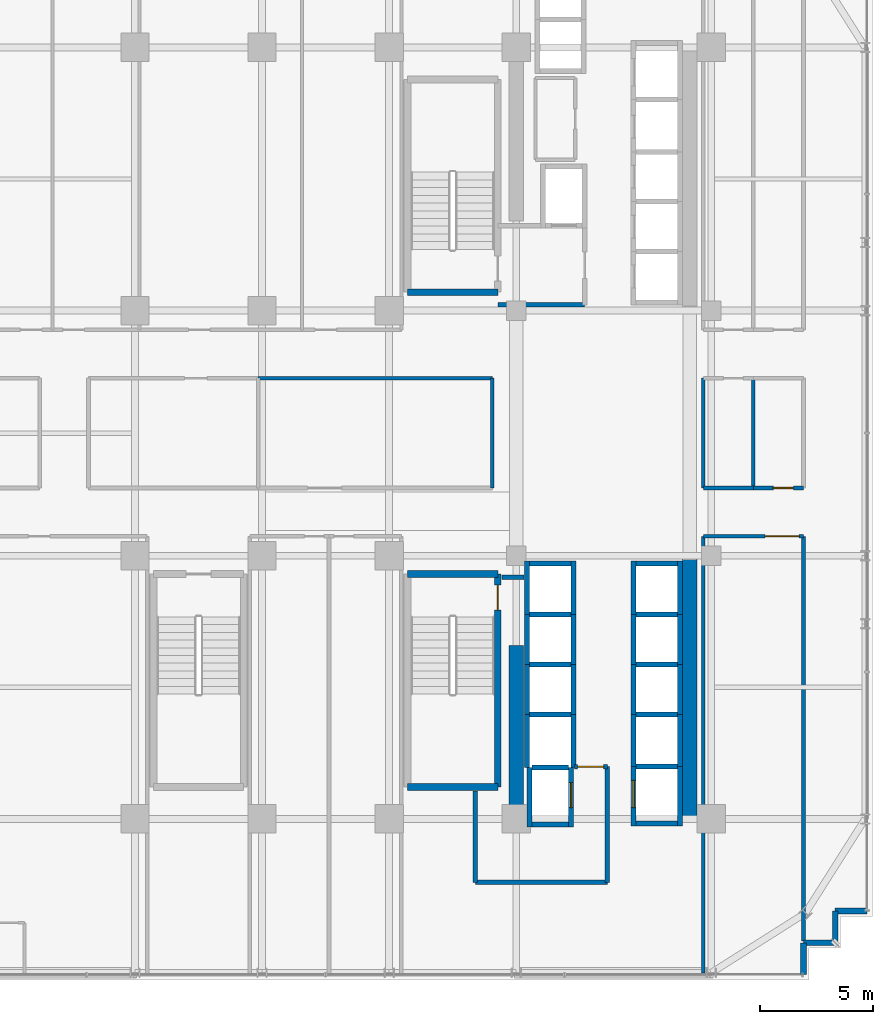
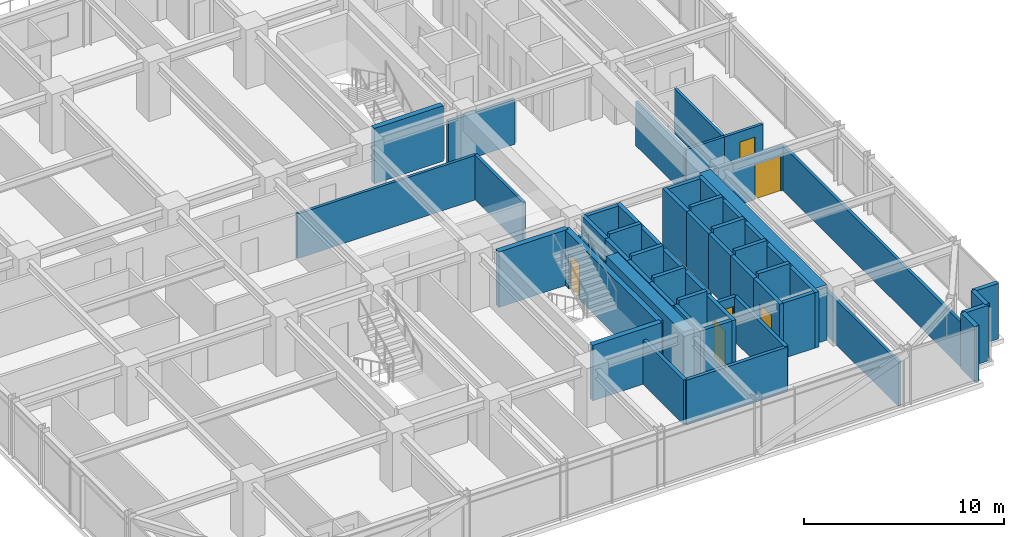
# One storey, part 33 of 40: 57 walls, 6 doors, 6 openings.
"""IFC4 building model written with IfcOpenShell, lengths in metres."""

from ifc_helpers import new_model, si_unit, direction, frame, frame_2d, origin, place, context, subcontext, project, spatial, rectangle, extrude, source, transform, mapped, material, layer, layer_set, type_object, element, fill, save


model = new_model("IFC4")

# Units and contexts
model_context = context("Model", 3, precision=1e-05, world=origin(), true_north=direction((0.0, 1.0)))
body_context = subcontext(model_context, "Body", "Model", "MODEL_VIEW")
ifc_project = project(units=[si_unit("LENGTHUNIT", "METRE"), si_unit("AREAUNIT", "SQUARE_METRE"), si_unit("VOLUMEUNIT", "CUBIC_METRE"), si_unit("PLANEANGLEUNIT", "RADIAN"), si_unit("MASSUNIT", "GRAM", prefix="KILO")], contexts=[model_context])

# Site, building, storey
site_placement = place(None, origin())
site = spatial("IfcSite", under=ifc_project, at=site_placement, CompositionType="ELEMENT")
building_placement = place(site_placement, origin())
building = spatial("IfcBuilding", under=site, at=building_placement, Name="Nahalor Promenade Grand Hotel", CompositionType="ELEMENT")
storey_placement = place(building_placement, frame((0.0, 0.0, 91.949951171875)))
storey = spatial("IfcBuildingStorey", under=building, at=storey_placement, Name="L22", CompositionType="ELEMENT", Elevation=91.949951171875)

# Walls
ifc_material_1 = material(Name="Concrete B-60 (C50/60)", Category="concrete")
ifc_layer_1 = layer(ifc_material_1, 0.64990234375)
ifc_layer_set_1 = layer_set([ifc_layer_1], Name="Concrete B-60 (C50/60)")
wall_type_1 = type_object("IfcWallType", Name="Wall-CoreShear-650", PredefinedType="SHEAR", material=ifc_layer_set_1)
shared_shape_1 = source(origin(), body_context, "Body", "SweptSolid", [
    extrude(rectangle(XDim=7.64990234375, YDim=0.64990234375, at=frame_2d((3.824951171875, 0.0))), origin(), (0.0, 0.0, 1.0), 3.380126953125),
])
wall_1_placement = place(storey_placement, frame((8.39990234375, -17.0, 0.0), z_axis=(0.0, 0.0, 1.0), x_axis=(0.0, 1.0, 0.0)))
element("IfcWall", 1, at=wall_1_placement, inside=storey, type_object=wall_type_1, Name="CWALL-L22-SW", PredefinedType="SHEAR", context=body_context, shape_type="MappedRepresentation", body=[
    mapped(shared_shape_1, transform((0.0, 0.0, 0.0), scale=1.0)),
])
shared_shape_2 = source(origin(), body_context, "Body", "SweptSolid", [
    extrude(rectangle(XDim=11.60009765625, YDim=0.64990234375, at=frame_2d((5.800048828125, 0.0))), origin(), (0.0, 0.0, 1.0), 3.380126953125),
])
wall_2_placement = place(storey_placement, frame((16.050048828125, -17.0, 0.0), z_axis=(0.0, 0.0, 1.0), x_axis=(0.0, 1.0, 0.0)))
element("IfcWall", 2, at=wall_2_placement, inside=storey, type_object=wall_type_1, Name="CWALL-L22-SE", PredefinedType="SHEAR", context=body_context, shape_type="MappedRepresentation", body=[
    mapped(shared_shape_2, transform((0.0, 0.0, 0.0), scale=1.0)),
])
ifc_material_2 = material(Name="Concrete B-50 (C40/50)", Category="concrete")
ifc_layer_2 = layer(ifc_material_2, 0.300048828125)
ifc_layer_set_2 = layer_set([ifc_layer_2], Name="Concrete B-50 (C40/50)")
wall_type_2 = type_object("IfcWallType", Name="Wall-ShaftShear-300", PredefinedType="SHEAR", material=ifc_layer_set_2)
shared_shape_3 = source(origin(), body_context, "Body", "SweptSolid", [
    extrude(rectangle(XDim=3.97998046875, YDim=0.300048828125, at=frame_2d((1.989990234375, 0.0))), origin(), (0.0, 0.0, 1.0), 3.380126953125),
])
for number, where, z_axis, x_axis, name in (
    (3, (3.610107421875, 6.2099609375, 0.0), (0.0, 0.0, 1.0), (1.0, 0.0, 0.0), "L22 Exit Stair ST1 Shaft Wall S"),
    (4, (3.610107421875, -15.590087890625, 0.0), (0.0, 0.0, 1.0), (1.0, 0.0, 0.0), "L22 Exit Stair ST2 Shaft Wall S"),
    (5, (3.610107421875, -6.2099609375, 0.0), (0.0, 0.0, 1.0), (1.0, 0.0, 0.0), "L22 Exit Stair ST2 Shaft Wall N"),
):
    element("IfcWall", number, at=place(storey_placement, frame(where, z_axis=z_axis, x_axis=x_axis)), inside=storey, type_object=wall_type_2, Name=name, PredefinedType="SHEAR", context=body_context, shape_type="MappedRepresentation", body=[
        mapped(shared_shape_3, transform((0.0, 0.0, 0.0), scale=1.0)),
    ])

# Wall, opening, door
shared_shape_4 = source(origin(), body_context, "Body", "SweptSolid", [
    extrude(rectangle(XDim=9.380126953125, YDim=0.300048828125, at=frame_2d((4.68994140625, 0.0))), origin(), (0.0, 0.0, 1.0), 3.380126953125),
])
wall_3_placement = place(storey_placement, frame((7.590087890625, -15.590087890625, 0.0), z_axis=(0.0, 0.0, 1.0), x_axis=(0.0, 1.0, 0.0)))
wall_3 = element("IfcWall", 6, at=wall_3_placement, inside=storey, type_object=wall_type_2, Name="L22 Exit Stair ST2 Shaft Wall E", PredefinedType="SHEAR", context=body_context, shape_type="MappedRepresentation", body=[
    mapped(shared_shape_4, transform((0.0, 0.0, 0.0), scale=1.0)),
])
opening_1_placement = place(wall_3_placement, frame((7.7900390625, 0.0, 0.0)))
opening_1 = element("IfcOpeningElement", 7, at=opening_1_placement, cuts=wall_3, Name="Opening D-ST1", PredefinedType="OPENING", context=body_context, shape_type="SweptSolid", body=[
    extrude(rectangle(XDim=1.10009765625, YDim=2.14990234375, at=frame_2d((0.550048828125, 1.074951171875))), frame((0.0, 0.159912109375, 0.0), z_axis=(0.0, -1.0, 0.0), x_axis=(1.0, 0.0, 0.0)), (0.0, 0.0, 1.0), 0.320068359375),
])
ifc_material_3 = material(Name="Steel S355JR", Category="steel")
door_type_1 = type_object("IfcDoorType", Name="Door-StairFire-1100", OperationType="NOTDEFINED", PredefinedType="DOOR", material=ifc_material_3)
shared_shape_5 = source(origin(), body_context, "Body", "SweptSolid", [
    extrude(rectangle(XDim=1.10009765625, YDim=2.14990234375, at=frame_2d((0.550048828125, 1.074951171875))), frame((0.0, 0.02490234375, 0.0), z_axis=(0.0, -1.0, 0.0), x_axis=(1.0, 0.0, 0.0)), (0.0, 0.0, 1.0), 0.050048828125),
])
door_1_placement = place(opening_1_placement, origin())
door_1 = element("IfcDoor", 8, at=door_1_placement, inside=storey, type_object=door_type_1, Name="DR-STAIR-ST2-L22", OperationType="SINGLE_SWING_LEFT", OverallHeight=2.14990234375, OverallWidth=1.10009765625, PredefinedType="DOOR", context=body_context, shape_type="MappedRepresentation", body=[
    mapped(shared_shape_5, transform((0.0, 0.0, 0.0), scale=1.0)),
])
fill(opening_1, door_1)

# Walls
ifc_layer_3 = layer(ifc_material_2, 0.219970703125)
ifc_layer_set_3 = layer_set([ifc_layer_3], Name="Concrete B-50 (C40/50)")
wall_type_3 = type_object("IfcWallType", Name="Wall-LiftShaft-220", PredefinedType="SHEAR", material=ifc_layer_set_3)
shared_shape_6 = source(origin(), body_context, "Body", "SweptSolid", [
    extrude(rectangle(XDim=1.820068359375, YDim=0.219970703125, at=frame_2d((0.91015625, 0.0))), origin(), (0.0, 0.0, 1.0), 3.650146484375),
])
for number, where, z_axis, x_axis, name in (
    (9, (13.68994140625, -8.0, 0.0), (0.0, 0.0, 1.0), (1.0, 0.0, 0.0), "L22 Lift PL6 Hoistway Wall N"),
    (10, (13.68994140625, -10.199951171875, 0.0), (0.0, 0.0, 1.0), (1.0, 0.0, 0.0), "L22 Lift PL7 Hoistway Wall N"),
    (11, (13.68994140625, -12.39990234375, 0.0), (0.0, 0.0, 1.0), (1.0, 0.0, 0.0), "L22 Lift PL8 Hoistway Wall N"),
    (12, (8.989990234375, -8.0, 0.0), (0.0, 0.0, 1.0), (1.0, 0.0, 0.0), "L22 Lift PL10 Hoistway Wall N"),
    (13, (8.989990234375, -10.199951171875, 0.0), (0.0, 0.0, 1.0), (1.0, 0.0, 0.0), "L22 Lift PL11 Hoistway Wall N"),
    (14, (8.989990234375, -12.39990234375, 0.0), (0.0, 0.0, 1.0), (1.0, 0.0, 0.0), "L22 Lift PL12 Hoistway Wall N"),
    (15, (13.68994140625, -14.699951171875, 0.0), (0.0, 0.0, 1.0), (1.0, 0.0, 0.0), "L22 Lift SV2 Hoistway Wall N"),
):
    element("IfcWall", number, at=place(storey_placement, frame(where, z_axis=z_axis, x_axis=x_axis)), inside=storey, type_object=wall_type_3, Name=name, PredefinedType="SHEAR", context=body_context, shape_type="MappedRepresentation", body=[
        mapped(shared_shape_6, transform((0.0, 0.0, 0.0), scale=1.0)),
    ])
shared_shape_7 = source(origin(), body_context, "Body", "SweptSolid", [
    extrude(rectangle(XDim=2.360107421875, YDim=0.219970703125, at=frame_2d((1.18017578125, 0.0))), origin(), (0.0, 0.0, 1.0), 3.380126953125),
])
for number, where, z_axis, x_axis, name in (
    (16, (13.580078125, -8.0, 0.0), (0.0, 0.0, 1.0), (0.0, 1.0, 0.0), "L22 Lift PL5 Hoistway Wall W"),
    (17, (15.6201171875, -8.0, 0.0), (0.0, 0.0, 1.0), (0.0, 1.0, 0.0), "L22 Lift PL5 Hoistway Wall E"),
    (18, (8.8798828125, -8.0, 0.0), (0.0, 0.0, 1.0), (0.0, 1.0, 0.0), "L22 Lift PL9 Hoistway Wall W"),
    (19, (10.919921875, -8.0, 0.0), (0.0, 0.0, 1.0), (0.0, 1.0, 0.0), "L22 Lift PL9 Hoistway Wall E"),
):
    element("IfcWall", number, at=place(storey_placement, frame(where, z_axis=z_axis, x_axis=x_axis)), inside=storey, type_object=wall_type_3, Name=name, PredefinedType="SHEAR", context=body_context, shape_type="MappedRepresentation", body=[
        mapped(shared_shape_7, transform((0.0, 0.0, 0.0), scale=1.0)),
    ])
shared_shape_8 = source(origin(), body_context, "Body", "SweptSolid", [
    extrude(rectangle(XDim=1.820068359375, YDim=0.219970703125, at=frame_2d((0.91015625, 0.0))), origin(), (0.0, 0.0, 1.0), 3.380126953125),
])
for number, where, z_axis, x_axis, name in (
    (20, (13.68994140625, -5.75, 0.0), (0.0, 0.0, 1.0), (1.0, 0.0, 0.0), "L22 Lift PL5 Hoistway Wall N"),
    (21, (8.989990234375, -5.75, 0.0), (0.0, 0.0, 1.0), (1.0, 0.0, 0.0), "L22 Lift PL9 Hoistway Wall N"),
    (22, (13.68994140625, -17.199951171875, 0.0), (0.0, 0.0, 1.0), (1.0, 0.0, 0.0), "L22 Lift SV2 Hoistway Wall S"),
):
    element("IfcWall", number, at=place(storey_placement, frame(where, z_axis=z_axis, x_axis=x_axis)), inside=storey, type_object=wall_type_3, Name=name, PredefinedType="SHEAR", context=body_context, shape_type="MappedRepresentation", body=[
        mapped(shared_shape_8, transform((0.0, 0.0, 0.0), scale=1.0)),
    ])
shared_shape_9 = source(origin(), body_context, "Body", "SweptSolid", [
    extrude(rectangle(XDim=2.199951171875, YDim=0.219970703125, at=frame_2d((1.10009765625, 0.0))), origin(), (0.0, 0.0, 1.0), 3.380126953125),
])
for number, where, z_axis, x_axis, name in (
    (23, (13.580078125, -10.199951171875, 0.0), (0.0, 0.0, 1.0), (0.0, 1.0, 0.0), "L22 Lift PL6 Hoistway Wall W"),
    (24, (15.6201171875, -10.199951171875, 0.0), (0.0, 0.0, 1.0), (0.0, 1.0, 0.0), "L22 Lift PL6 Hoistway Wall E"),
    (25, (13.580078125, -12.39990234375, 0.0), (0.0, 0.0, 1.0), (0.0, 1.0, 0.0), "L22 Lift PL7 Hoistway Wall W"),
    (26, (15.6201171875, -12.39990234375, 0.0), (0.0, 0.0, 1.0), (0.0, 1.0, 0.0), "L22 Lift PL7 Hoistway Wall E"),
    (27, (8.8798828125, -10.199951171875, 0.0), (0.0, 0.0, 1.0), (0.0, 1.0, 0.0), "L22 Lift PL10 Hoistway Wall W"),
    (28, (10.919921875, -10.199951171875, 0.0), (0.0, 0.0, 1.0), (0.0, 1.0, 0.0), "L22 Lift PL10 Hoistway Wall E"),
    (29, (8.8798828125, -12.39990234375, 0.0), (0.0, 0.0, 1.0), (0.0, 1.0, 0.0), "L22 Lift PL11 Hoistway Wall W"),
    (30, (10.919921875, -12.39990234375, 0.0), (0.0, 0.0, 1.0), (0.0, 1.0, 0.0), "L22 Lift PL11 Hoistway Wall E"),
):
    element("IfcWall", number, at=place(storey_placement, frame(where, z_axis=z_axis, x_axis=x_axis)), inside=storey, type_object=wall_type_3, Name=name, PredefinedType="SHEAR", context=body_context, shape_type="MappedRepresentation", body=[
        mapped(shared_shape_9, transform((0.0, 0.0, 0.0), scale=1.0)),
    ])
shared_shape_10 = source(origin(), body_context, "Body", "SweptSolid", [
    extrude(rectangle(XDim=2.300048828125, YDim=0.219970703125, at=frame_2d((1.14990234375, 0.0))), origin(), (0.0, 0.0, 1.0), 3.380126953125),
])
for number, where, z_axis, x_axis, name in (
    (31, (13.580078125, -14.699951171875, 0.0), (0.0, 0.0, 1.0), (0.0, 1.0, 0.0), "L22 Lift PL8 Hoistway Wall W"),
    (32, (15.6201171875, -14.699951171875, 0.0), (0.0, 0.0, 1.0), (0.0, 1.0, 0.0), "L22 Lift PL8 Hoistway Wall E"),
):
    element("IfcWall", number, at=place(storey_placement, frame(where, z_axis=z_axis, x_axis=x_axis)), inside=storey, type_object=wall_type_3, Name=name, PredefinedType="SHEAR", context=body_context, shape_type="MappedRepresentation", body=[
        mapped(shared_shape_10, transform((0.0, 0.0, 0.0), scale=1.0)),
    ])
shared_shape_11 = source(origin(), body_context, "Body", "SweptSolid", [
    extrude(rectangle(XDim=2.3251953125, YDim=0.219970703125, at=frame_2d((1.16259765625, 0.0))), origin(), (0.0, 0.0, 1.0), 3.380126953125),
])
for number, where, z_axis, x_axis, name in (
    (33, (8.8798828125, -14.72509765625, 0.0), (0.0, 0.0, 1.0), (0.0, 1.0, 0.0), "L22 Lift PL12 Hoistway Wall W"),
    (34, (10.919921875, -14.72509765625, 0.0), (0.0, 0.0, 1.0), (0.0, 1.0, 0.0), "L22 Lift PL12 Hoistway Wall E"),
):
    element("IfcWall", number, at=place(storey_placement, frame(where, z_axis=z_axis, x_axis=x_axis)), inside=storey, type_object=wall_type_3, Name=name, PredefinedType="SHEAR", context=body_context, shape_type="MappedRepresentation", body=[
        mapped(shared_shape_11, transform((0.0, 0.0, 0.0), scale=1.0)),
    ])
shared_shape_12 = source(origin(), body_context, "Body", "SweptSolid", [
    extrude(rectangle(XDim=1.619873046875, YDim=0.219970703125, at=frame_2d((0.81005859375, 0.0))), origin(), (0.0, 0.0, 1.0), 3.650146484375),
])
wall_4_placement = place(storey_placement, frame((9.090087890625, -14.72509765625, 0.0), z_axis=(0.0, 0.0, 1.0), x_axis=(1.0, 0.0, 0.0)))
element("IfcWall", 35, at=wall_4_placement, inside=storey, type_object=wall_type_3, Name="L22 Lift FL2 Hoistway Wall N", PredefinedType="SHEAR", context=body_context, shape_type="MappedRepresentation", body=[
    mapped(shared_shape_12, transform((0.0, 0.0, 0.0), scale=1.0)),
])
shared_shape_13 = source(origin(), body_context, "Body", "SweptSolid", [
    extrude(rectangle(XDim=2.635009765625, YDim=0.219970703125, at=frame_2d((1.3173828125, 0.0))), origin(), (0.0, 0.0, 1.0), 3.380126953125),
])
wall_5_placement = place(storey_placement, frame((8.97998046875, -17.360107421875, 0.0), z_axis=(0.0, 0.0, 1.0), x_axis=(0.0, 1.0, 0.0)))
element("IfcWall", 36, at=wall_5_placement, inside=storey, type_object=wall_type_3, Name="L22 Lift FL2 Hoistway Wall W", PredefinedType="SHEAR", context=body_context, shape_type="MappedRepresentation", body=[
    mapped(shared_shape_13, transform((0.0, 0.0, 0.0), scale=1.0)),
])

# Wall, opening, door
wall_6_placement = place(storey_placement, frame((10.820068359375, -17.360107421875, 0.0), z_axis=(0.0, 0.0, 1.0), x_axis=(0.0, 1.0, 0.0)))
wall_6 = element("IfcWall", 37, at=wall_6_placement, inside=storey, type_object=wall_type_3, Name="L22 Lift FL2 Hoistway Wall E", PredefinedType="SHEAR", context=body_context, shape_type="MappedRepresentation", body=[
    mapped(shared_shape_13, transform((0.0, 0.0, 0.0), scale=1.0)),
])
opening_2_placement = place(wall_6_placement, frame((0.860107421875, 0.0, 0.0)))
opening_2 = element("IfcOpeningElement", 38, at=opening_2_placement, cuts=wall_6, Name="Opening LD-02", PredefinedType="OPENING", context=body_context, shape_type="SweptSolid", body=[
    extrude(rectangle(XDim=1.10009765625, YDim=2.199951171875, at=frame_2d((0.550048828125, 1.10009765625))), frame((0.0, 0.119873046875, 0.0), z_axis=(0.0, -1.0, 0.0), x_axis=(1.0, 0.0, 0.0)), (0.0, 0.0, 1.0), 0.239990234375),
])
door_type_2 = type_object("IfcDoorType", Name="Door-LiftFF-1100", OperationType="DOUBLE_DOOR_SLIDING", PredefinedType="DOOR", material=ifc_material_3)
shared_shape_14 = source(origin(), body_context, "Body", "SweptSolid", [
    extrude(rectangle(XDim=1.10009765625, YDim=2.199951171875, at=frame_2d((0.550048828125, 1.10009765625))), frame((0.0, 0.02490234375, 0.0), z_axis=(0.0, -1.0, 0.0), x_axis=(1.0, 0.0, 0.0)), (0.0, 0.0, 1.0), 0.050048828125),
])
door_2_placement = place(opening_2_placement, frame((1.10009765625, 0.0, 0.0), z_axis=(0.0, 0.0, 1.0), x_axis=(-1.0, 0.0, 0.0)))
door_2 = element("IfcDoor", 39, at=door_2_placement, inside=storey, type_object=door_type_2, Name="DR-LIFT-FL2-L22", OperationType="DOUBLE_DOOR_SLIDING", OverallHeight=2.199951171875, OverallWidth=1.10009765625, PredefinedType="DOOR", context=body_context, shape_type="MappedRepresentation", body=[
    mapped(shared_shape_14, transform((0.0, 0.0, 0.0), scale=1.0)),
])
fill(opening_2, door_2)

# Wall
shared_shape_15 = source(origin(), body_context, "Body", "SweptSolid", [
    extrude(rectangle(XDim=1.619873046875, YDim=0.219970703125, at=frame_2d((0.81005859375, 0.0))), origin(), (0.0, 0.0, 1.0), 3.380126953125),
])
wall_7_placement = place(storey_placement, frame((9.090087890625, -17.25, 0.0), z_axis=(0.0, 0.0, 1.0), x_axis=(1.0, 0.0, 0.0)))
element("IfcWall", 40, at=wall_7_placement, inside=storey, type_object=wall_type_3, Name="L22 Lift FL2 Hoistway Wall S", PredefinedType="SHEAR", context=body_context, shape_type="MappedRepresentation", body=[
    mapped(shared_shape_15, transform((0.0, 0.0, 0.0), scale=1.0)),
])

# Wall, opening, door
shared_shape_16 = source(origin(), body_context, "Body", "SweptSolid", [
    extrude(rectangle(XDim=2.610107421875, YDim=0.219970703125, at=frame_2d((1.30517578125, 0.0))), origin(), (0.0, 0.0, 1.0), 3.380126953125),
])
wall_8_placement = place(storey_placement, frame((13.580078125, -17.31005859375, 0.0), z_axis=(0.0, 0.0, 1.0), x_axis=(0.0, 1.0, 0.0)))
wall_8 = element("IfcWall", 41, at=wall_8_placement, inside=storey, type_object=wall_type_3, Name="L22 Lift SV2 Hoistway Wall W", PredefinedType="SHEAR", context=body_context, shape_type="MappedRepresentation", body=[
    mapped(shared_shape_16, transform((0.0, 0.0, 0.0), scale=1.0)),
])
opening_3_placement = place(wall_8_placement, frame((0.81005859375, 0.0, 0.0)))
opening_3 = element("IfcOpeningElement", 42, at=opening_3_placement, cuts=wall_8, Name="Opening LD-03", PredefinedType="OPENING", context=body_context, shape_type="SweptSolid", body=[
    extrude(rectangle(XDim=1.199951171875, YDim=2.199951171875, at=frame_2d((0.60009765625, 1.10009765625))), frame((0.0, 0.119873046875, 0.0), z_axis=(0.0, -1.0, 0.0), x_axis=(1.0, 0.0, 0.0)), (0.0, 0.0, 1.0), 0.239990234375),
])
door_type_3 = type_object("IfcDoorType", Name="Door-LiftService-1200", OperationType="DOUBLE_DOOR_SLIDING", PredefinedType="DOOR", material=ifc_material_3)
shared_shape_17 = source(origin(), body_context, "Body", "SweptSolid", [
    extrude(rectangle(XDim=1.199951171875, YDim=2.199951171875, at=frame_2d((0.60009765625, 1.10009765625))), frame((0.0, 0.02490234375, 0.0), z_axis=(0.0, -1.0, 0.0), x_axis=(1.0, 0.0, 0.0)), (0.0, 0.0, 1.0), 0.050048828125),
])
door_3_placement = place(opening_3_placement, origin())
door_3 = element("IfcDoor", 43, at=door_3_placement, inside=storey, type_object=door_type_3, Name="DR-LIFT-SV2-L22", OperationType="DOUBLE_DOOR_SLIDING", OverallHeight=2.199951171875, OverallWidth=1.199951171875, PredefinedType="DOOR", context=body_context, shape_type="MappedRepresentation", body=[
    mapped(shared_shape_17, transform((0.0, 0.0, 0.0), scale=1.0)),
])
fill(opening_3, door_3)

# Walls
wall_9_placement = place(storey_placement, frame((15.6201171875, -17.31005859375, 0.0), z_axis=(0.0, 0.0, 1.0), x_axis=(0.0, 1.0, 0.0)))
element("IfcWall", 44, at=wall_9_placement, inside=storey, type_object=wall_type_3, Name="L22 Lift SV2 Hoistway Wall E", PredefinedType="SHEAR", context=body_context, shape_type="MappedRepresentation", body=[
    mapped(shared_shape_16, transform((0.0, 0.0, 0.0), scale=1.0)),
])
ifc_material_4 = material(Name="Concrete B-40 (C32/40)", Category="concrete")
ifc_layer_4 = layer(ifc_material_4, 0.25)
ifc_layer_set_4 = layer_set([ifc_layer_4], Name="Concrete B-40 (C32/40)")
wall_type_4 = type_object("IfcWallType", Name="Wall-BronzePier-250", PredefinedType="STANDARD", material=ifc_layer_set_4)
shared_shape_18 = source(origin(), body_context, "Body", "SweptSolid", [
    extrude(rectangle(XDim=1.400146484375, YDim=0.25, at=frame_2d((0.7001953125, 0.0))), origin(), (0.0, 0.0, 1.0), 3.380126953125),
])
for number, where, z_axis, x_axis, name in (
    (45, (21.06005859375, -23.860107421875, 0.0), (0.0, 0.0, 1.0), (0.0, 1.0, 0.0), "W-L22-SR-01"),
    (46, (22.4599609375, -21.06005859375, 0.0), (0.0, 0.0, 1.0), (1.0, 0.0, 0.0), "W-L22-SR-04"),
):
    element("IfcWall", number, at=place(storey_placement, frame(where, z_axis=z_axis, x_axis=x_axis)), inside=storey, type_object=wall_type_4, Name=name, PredefinedType="STANDARD", context=body_context, shape_type="MappedRepresentation", body=[
        mapped(shared_shape_18, transform((0.0, 0.0, 0.0), scale=1.0)),
    ])
shared_shape_19 = source(origin(), body_context, "Body", "SweptSolid", [
    extrude(rectangle(XDim=1.39990234375, YDim=0.25, at=frame_2d((0.699951171875, 0.0))), origin(), (0.0, 0.0, 1.0), 3.380126953125),
])
for number, where, z_axis, x_axis, name in (
    (47, (21.06005859375, -22.4599609375, 0.0), (0.0, 0.0, 1.0), (1.0, 0.0, 0.0), "W-L22-SR-02"),
    (48, (22.4599609375, -22.4599609375, 0.0), (0.0, 0.0, 1.0), (0.0, 1.0, 0.0), "W-L22-SR-03"),
):
    element("IfcWall", number, at=place(storey_placement, frame(where, z_axis=z_axis, x_axis=x_axis)), inside=storey, type_object=wall_type_4, Name=name, PredefinedType="STANDARD", context=body_context, shape_type="MappedRepresentation", body=[
        mapped(shared_shape_19, transform((0.0, 0.0, 0.0), scale=1.0)),
    ])
ifc_layer_5 = layer(ifc_material_4, 0.199951171875)
ifc_layer_set_5 = layer_set([ifc_layer_5], Name="Concrete B-40 (C32/40)")
wall_type_5 = type_object("IfcWallType", Name="Wall-PartFire-200", PredefinedType="PARTITIONING", material=ifc_layer_set_5)
shared_shape_20 = source(origin(), body_context, "Body", "SweptSolid", [
    extrude(rectangle(XDim=3.81982421875, YDim=0.199951171875, at=frame_2d((1.909912109375, 0.0))), origin(), (0.0, 0.0, 1.0), 2.719970703125),
])
wall_10_placement = place(storey_placement, frame((7.60009765625, 5.64990234375, 0.0), z_axis=(0.0, 0.0, 1.0), x_axis=(1.0, 0.0, 0.0)))
element("IfcWall", 49, at=wall_10_placement, inside=storey, type_object=wall_type_5, Name="W-L22-FF1-S", PredefinedType="PARTITIONING", context=body_context, shape_type="MappedRepresentation", body=[
    mapped(shared_shape_20, transform((0.0, 0.0, 0.0), scale=1.0)),
])
shared_shape_21 = source(origin(), body_context, "Body", "SweptSolid", [
    extrude(rectangle(XDim=5.81982421875, YDim=0.199951171875, at=frame_2d((2.909912109375, 0.0))), origin(), (0.0, 0.0, 1.0), 2.719970703125),
])
wall_11_placement = place(storey_placement, frame((6.60009765625, -19.800048828125, 0.0), z_axis=(0.0, 0.0, 1.0), x_axis=(1.0, 0.0, 0.0)))
element("IfcWall", 50, at=wall_11_placement, inside=storey, type_object=wall_type_5, Name="W-L22-FF2-S1", PredefinedType="PARTITIONING", context=body_context, shape_type="MappedRepresentation", body=[
    mapped(shared_shape_21, transform((0.0, 0.0, 0.0), scale=1.0)),
])
shared_shape_22 = source(origin(), body_context, "Body", "SweptSolid", [
    extrude(rectangle(XDim=4.030029296875, YDim=0.199951171875, at=frame_2d((2.01513671875, 0.0))), origin(), (0.0, 0.0, 1.0), 2.719970703125),
])
wall_12_placement = place(storey_placement, frame((6.60009765625, -19.800048828125, 0.0), z_axis=(0.0, 0.0, 1.0), x_axis=(0.0, 1.0, 0.0)))
element("IfcWall", 51, at=wall_12_placement, inside=storey, type_object=wall_type_5, Name="W-L22-FF2-W1", PredefinedType="PARTITIONING", context=body_context, shape_type="MappedRepresentation", body=[
    mapped(shared_shape_22, transform((0.0, 0.0, 0.0), scale=1.0)),
])
shared_shape_23 = source(origin(), body_context, "Body", "SweptSolid", [
    extrude(rectangle(XDim=5.10009765625, YDim=0.199951171875, at=frame_2d((2.550048828125, 0.0))), origin(), (0.0, 0.0, 1.0), 2.719970703125),
])
wall_13_placement = place(storey_placement, frame((12.419921875, -19.800048828125, 0.0), z_axis=(0.0, 0.0, 1.0), x_axis=(0.0, 1.0, 0.0)))
element("IfcWall", 52, at=wall_13_placement, inside=storey, type_object=wall_type_5, Name="W-L22-FF2-E", PredefinedType="PARTITIONING", context=body_context, shape_type="MappedRepresentation", body=[
    mapped(shared_shape_23, transform((0.0, 0.0, 0.0), scale=1.0)),
])

# Wall, opening, door
shared_shape_24 = source(origin(), body_context, "Body", "SweptSolid", [
    extrude(rectangle(XDim=1.4599609375, YDim=0.199951171875, at=frame_2d((0.72998046875, 0.0))), origin(), (0.0, 0.0, 1.0), 2.719970703125),
])
wall_14_placement = place(storey_placement, frame((10.9599609375, -14.699951171875, 0.0), z_axis=(0.0, 0.0, 1.0), x_axis=(1.0, 0.0, 0.0)))
wall_14 = element("IfcWall", 53, at=wall_14_placement, inside=storey, type_object=wall_type_5, Name="W-L22-FF2-N1", PredefinedType="PARTITIONING", context=body_context, shape_type="MappedRepresentation", body=[
    mapped(shared_shape_24, transform((0.0, 0.0, 0.0), scale=1.0)),
])
opening_4_placement = place(wall_14_placement, frame((0.14501953125, 0.0, 0.0)))
opening_4 = element("IfcOpeningElement", 54, at=opening_4_placement, cuts=wall_14, Name="Opening D-FF1", PredefinedType="OPENING", context=body_context, shape_type="SweptSolid", body=[
    extrude(rectangle(XDim=1.14990234375, YDim=2.14990234375, at=frame_2d((0.574951171875, 1.074951171875))), frame((0.0, 0.10986328125, 0.0), z_axis=(0.0, -1.0, 0.0), x_axis=(1.0, 0.0, 0.0)), (0.0, 0.0, 1.0), 0.219970703125),
])
door_type_4 = type_object("IfcDoorType", Name="Door-FFLobby-1150", OperationType="NOTDEFINED", PredefinedType="DOOR", material=ifc_material_3)
shared_shape_25 = source(origin(), body_context, "Body", "SweptSolid", [
    extrude(rectangle(XDim=1.14990234375, YDim=2.14990234375, at=frame_2d((0.574951171875, 1.074951171875))), frame((0.0, 0.02490234375, 0.0), z_axis=(0.0, -1.0, 0.0), x_axis=(1.0, 0.0, 0.0)), (0.0, 0.0, 1.0), 0.050048828125),
])
door_4_placement = place(opening_4_placement, origin())
door_4 = element("IfcDoor", 55, at=door_4_placement, inside=storey, type_object=door_type_4, Name="DR-L22-FFL2", OperationType="SINGLE_SWING_LEFT", OverallHeight=2.14990234375, OverallWidth=1.14990234375, PredefinedType="DOOR", context=body_context, shape_type="MappedRepresentation", body=[
    mapped(shared_shape_25, transform((0.0, 0.0, 0.0), scale=1.0)),
])
fill(opening_4, door_4)

# Wall
shared_shape_26 = source(origin(), body_context, "Body", "SweptSolid", [
    extrude(rectangle(XDim=0.969970703125, YDim=0.199951171875, at=frame_2d((0.48486328125, 0.0))), origin(), (0.0, 0.0, 1.0), 2.719970703125),
])
wall_15_placement = place(storey_placement, frame((7.77001953125, -6.35009765625, 0.0), z_axis=(0.0, 0.0, 1.0), x_axis=(1.0, 0.0, 0.0)))
element("IfcWall", 56, at=wall_15_placement, inside=storey, type_object=wall_type_5, Name="W-L22-FF2-N2", PredefinedType="PARTITIONING", context=body_context, shape_type="MappedRepresentation", body=[
    mapped(shared_shape_26, transform((0.0, 0.0, 0.0), scale=1.0)),
])

# Wall, opening, door
ifc_material_5 = material(Name="Acoustic Mineral Gypsum", Category="gypsum")
ifc_layer_6 = layer(ifc_material_5, 0.159912109375)
ifc_layer_set_6 = layer_set([ifc_layer_6], Name="Acoustic Mineral Gypsum")
wall_type_6 = type_object("IfcWallType", Name="Wall-PartCorridor-160", PredefinedType="PARTITIONING", material=ifc_layer_set_6)
shared_shape_27 = source(origin(), body_context, "Body", "SweptSolid", [
    extrude(rectangle(XDim=4.41015625, YDim=0.159912109375, at=frame_2d((2.205078125, 0.0))), origin(), (0.0, 0.0, 1.0), 2.719970703125),
])
wall_16_placement = place(storey_placement, frame((16.64990234375, -4.550048828125, 0.0), z_axis=(0.0, 0.0, 1.0), x_axis=(1.0, 0.0, 0.0)))
wall_16 = element("IfcWall", 57, at=wall_16_placement, inside=storey, type_object=wall_type_6, Name="W-L22-ESE-N", PredefinedType="PARTITIONING", context=body_context, shape_type="MappedRepresentation", body=[
    mapped(shared_shape_27, transform((0.0, 0.0, 0.0), scale=1.0)),
])
opening_5_placement = place(wall_16_placement, frame((2.721923828125, 0.0, 0.0)))
opening_5 = element("IfcOpeningElement", 58, at=opening_5_placement, cuts=wall_16, Name="Opening D-02", PredefinedType="OPENING", context=body_context, shape_type="SweptSolid", body=[
    extrude(rectangle(XDim=1.5, YDim=2.14990234375, at=frame_2d((0.75, 1.074951171875))), frame((0.0, 0.08984375, 0.0), z_axis=(0.0, -1.0, 0.0), x_axis=(1.0, 0.0, 0.0)), (0.0, 0.0, 1.0), 0.179931640625),
])
ifc_material_6 = material(Name="Fire-Rated Timber Composite", Category="wood")
door_type_5 = type_object("IfcDoorType", Name="Door-SuiteDouble-1500", OperationType="DOUBLE_DOOR_SINGLE_SWING", PredefinedType="DOOR", material=ifc_material_6)
shared_shape_28 = source(origin(), body_context, "Body", "SweptSolid", [
    extrude(rectangle(XDim=1.5, YDim=2.14990234375, at=frame_2d((0.75, 1.074951171875))), frame((0.0, 0.02490234375, 0.0), z_axis=(0.0, -1.0, 0.0), x_axis=(1.0, 0.0, 0.0)), (0.0, 0.0, 1.0), 0.050048828125),
])
door_5_placement = place(opening_5_placement, frame((1.5, 0.0, 0.0), z_axis=(0.0, 0.0, 1.0), x_axis=(-1.0, 0.0, 0.0)))
door_5 = element("IfcDoor", 59, at=door_5_placement, inside=storey, type_object=door_type_5, Name="DR-L22-ESE", OperationType="DOUBLE_DOOR_SINGLE_SWING", OverallHeight=2.14990234375, OverallWidth=1.5, PredefinedType="DOOR", context=body_context, shape_type="MappedRepresentation", body=[
    mapped(shared_shape_28, transform((0.0, 0.0, 0.0), scale=1.0)),
])
fill(opening_5, door_5)

# Walls
shared_shape_29 = source(origin(), body_context, "Body", "SweptSolid", [
    extrude(rectangle(XDim=19.25, YDim=0.159912109375, at=frame_2d((9.625, 0.0))), origin(), (0.0, 0.0, 1.0), 2.719970703125),
])
wall_17_placement = place(storey_placement, frame((16.64990234375, -23.800048828125, 0.0), z_axis=(0.0, 0.0, 1.0), x_axis=(0.0, 1.0, 0.0)))
element("IfcWall", 60, at=wall_17_placement, inside=storey, type_object=wall_type_6, Name="W-L22-ESE-W", PredefinedType="PARTITIONING", context=body_context, shape_type="MappedRepresentation", body=[
    mapped(shared_shape_29, transform((0.0, 0.0, 0.0), scale=1.0)),
])
shared_shape_30 = source(origin(), body_context, "Body", "SweptSolid", [
    extrude(rectangle(XDim=17.829833984375, YDim=0.159912109375, at=frame_2d((8.9150390625, 0.0))), origin(), (0.0, 0.0, 1.0), 2.719970703125),
])
wall_18_placement = place(storey_placement, frame((21.06005859375, -22.3798828125, 0.0), z_axis=(0.0, 0.0, 1.0), x_axis=(0.0, 1.0, 0.0)))
element("IfcWall", 61, at=wall_18_placement, inside=storey, type_object=wall_type_6, Name="W-L22-ESE-E", PredefinedType="PARTITIONING", context=body_context, shape_type="MappedRepresentation", body=[
    mapped(shared_shape_30, transform((0.0, 0.0, 0.0), scale=1.0)),
])
shared_shape_31 = source(origin(), body_context, "Body", "SweptSolid", [
    extrude(rectangle(XDim=4.83984375, YDim=0.159912109375, at=frame_2d((2.419921875, 0.0))), origin(), (0.0, 0.0, 1.0), 2.719970703125),
])
for number, where, z_axis, x_axis, name in (
    (62, (7.35009765625, -2.419921875, 0.0), (0.0, 0.0, 1.0), (0.0, 1.0, 0.0), "W-L22-CM2-E"),
    (63, (16.64990234375, -2.419921875, 0.0), (0.0, 0.0, 1.0), (0.0, 1.0, 0.0), "W-L22-ECW1-W"),
    (64, (18.85498046875, -2.419921875, 0.0), (0.0, 0.0, 1.0), (0.0, 1.0, 0.0), "W-L22-ECW1-E"),
):
    element("IfcWall", number, at=place(storey_placement, frame(where, z_axis=z_axis, x_axis=x_axis)), inside=storey, type_object=wall_type_6, Name=name, PredefinedType="PARTITIONING", context=body_context, shape_type="MappedRepresentation", body=[
        mapped(shared_shape_31, transform((0.0, 0.0, 0.0), scale=1.0)),
    ])
shared_shape_32 = source(origin(), body_context, "Body", "SweptSolid", [
    extrude(rectangle(XDim=2.205078125, YDim=0.159912109375, at=frame_2d((1.1025390625, 0.0))), origin(), (0.0, 0.0, 1.0), 2.719970703125),
])
wall_19_placement = place(storey_placement, frame((16.64990234375, -2.419921875, 0.0), z_axis=(0.0, 0.0, 1.0), x_axis=(1.0, 0.0, 0.0)))
element("IfcWall", 65, at=wall_19_placement, inside=storey, type_object=wall_type_6, Name="W-L22-ECW1-S", PredefinedType="PARTITIONING", context=body_context, shape_type="MappedRepresentation", body=[
    mapped(shared_shape_32, transform((0.0, 0.0, 0.0), scale=1.0)),
])

# Wall, opening, door
wall_20_placement = place(storey_placement, frame((18.85498046875, -2.419921875, 0.0), z_axis=(0.0, 0.0, 1.0), x_axis=(1.0, 0.0, 0.0)))
wall_20 = element("IfcWall", 66, at=wall_20_placement, inside=storey, type_object=wall_type_6, Name="W-L22-ECW2-S", PredefinedType="PARTITIONING", context=body_context, shape_type="MappedRepresentation", body=[
    mapped(shared_shape_32, transform((0.0, 0.0, 0.0), scale=1.0)),
])
opening_6_placement = place(wall_20_placement, frame((0.875, 0.0, 0.0)))
opening_6 = element("IfcOpeningElement", 67, at=opening_6_placement, cuts=wall_20, Name="Opening D-03", PredefinedType="OPENING", context=body_context, shape_type="SweptSolid", body=[
    extrude(rectangle(XDim=0.8798828125, YDim=2.10009765625, at=frame_2d((0.43994140625, 1.050048828125))), frame((0.0, 0.08984375, 0.0), z_axis=(0.0, -1.0, 0.0), x_axis=(1.0, 0.0, 0.0)), (0.0, 0.0, 1.0), 0.179931640625),
])
door_type_6 = type_object("IfcDoorType", Name="Door-BathSwing-880", OperationType="NOTDEFINED", PredefinedType="DOOR", material=ifc_material_6)
shared_shape_33 = source(origin(), body_context, "Body", "SweptSolid", [
    extrude(rectangle(XDim=0.8798828125, YDim=2.10009765625, at=frame_2d((0.43994140625, 1.050048828125))), frame((0.0, 0.02490234375, 0.0), z_axis=(0.0, -1.0, 0.0), x_axis=(1.0, 0.0, 0.0)), (0.0, 0.0, 1.0), 0.050048828125),
])
door_6_placement = place(opening_6_placement, origin())
door_6 = element("IfcDoor", 68, at=door_6_placement, inside=storey, type_object=door_type_6, Name="DR-L22-ECW2", OperationType="SINGLE_SWING_RIGHT", OverallHeight=2.10009765625, OverallWidth=0.8798828125, PredefinedType="DOOR", context=body_context, shape_type="MappedRepresentation", body=[
    mapped(shared_shape_33, transform((0.0, 0.0, 0.0), scale=1.0)),
])
fill(opening_6, door_6)

# Wall
shared_shape_34 = source(origin(), body_context, "Body", "SweptSolid", [
    extrude(rectangle(XDim=10.32421875, YDim=0.159912109375, at=frame_2d((5.162109375, 0.0))), origin(), (0.0, 0.0, 1.0), 2.719970703125),
])
wall_21_placement = place(storey_placement, frame((-2.97412109375, 2.419921875, 0.0), z_axis=(0.0, 0.0, 1.0), x_axis=(1.0, 0.0, 0.0)))
element("IfcWall", 69, at=wall_21_placement, inside=storey, type_object=wall_type_6, Name="W-L22-CM2-N", PredefinedType="PARTITIONING", context=body_context, shape_type="MappedRepresentation", body=[
    mapped(shared_shape_34, transform((0.0, 0.0, 0.0), scale=1.0)),
])

save(model, "model.ifc")
